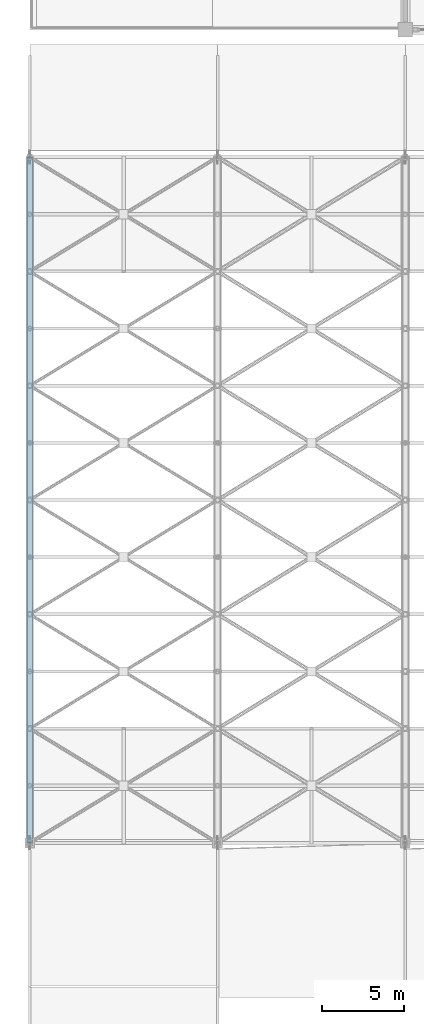
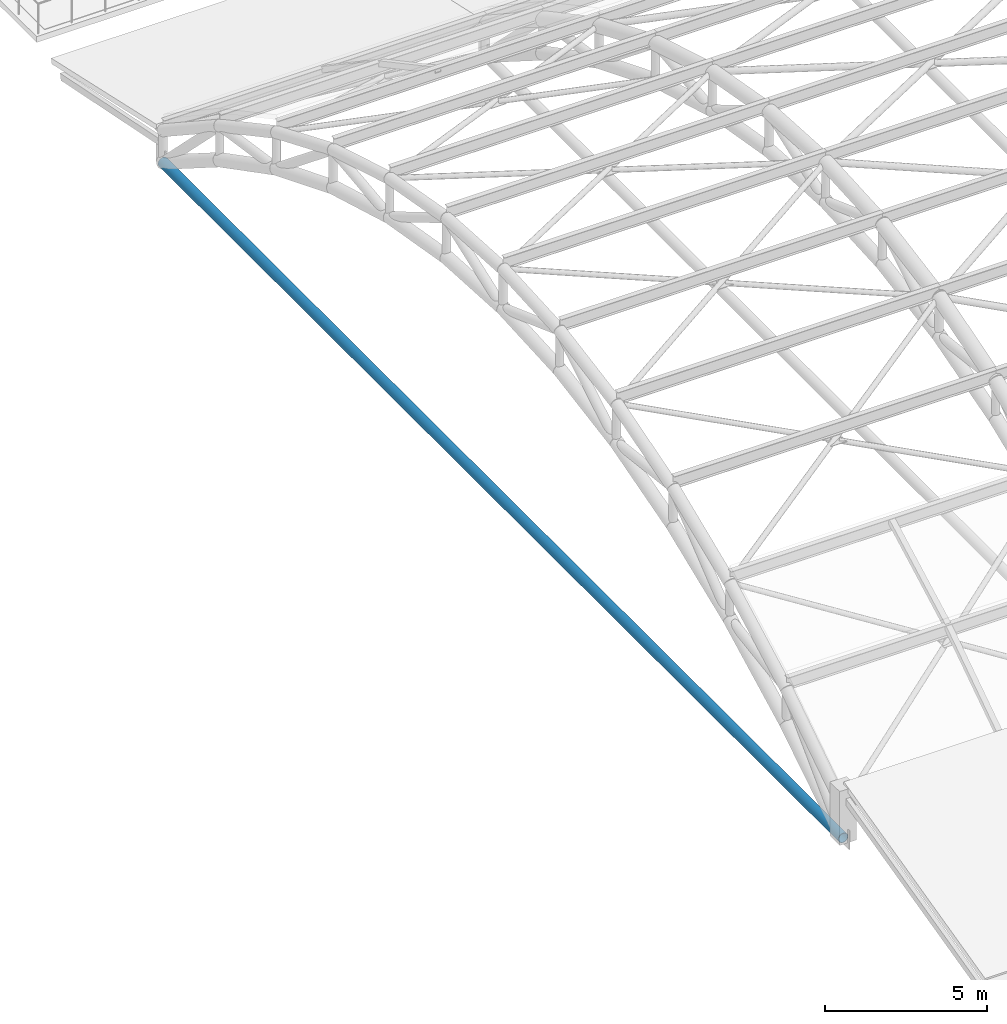
# One storey, part 13 of 154: 1 member.
"""IFC4 building model written with IfcOpenShell, lengths in metres."""

from ifc_helpers import new_model, si_unit, direction, frame, origin, origin_2d, place, context, subcontext, project, spatial, hollow_circle, extrude, material, material_profile, profile_set, type_object, element, save


model = new_model("IFC4")

# Units and contexts
model_context = context("Model", 3, precision=1e-05, world=origin(), true_north=direction((0.0, 1.0)))
body_context = subcontext(model_context, "Body", "Model", "MODEL_VIEW")
ifc_project = project(units=[si_unit("LENGTHUNIT", "METRE"), si_unit("AREAUNIT", "SQUARE_METRE"), si_unit("VOLUMEUNIT", "CUBIC_METRE"), si_unit("PLANEANGLEUNIT", "RADIAN"), si_unit("MASSUNIT", "GRAM", prefix="KILO")], contexts=[model_context])

# Site, building, storey
site_placement = place(None, origin())
site = spatial("IfcSite", under=ifc_project, at=site_placement, CompositionType="ELEMENT")
building_placement = place(site_placement, origin())
building = spatial("IfcBuilding", under=site, at=building_placement, Name="Ologun Quay Terminus", CompositionType="ELEMENT")
storey_placement = place(building_placement, frame((0.0, 0.0, 13.800048828125)))
storey = spatial("IfcBuildingStorey", under=building, at=storey_placement, Name="L03", CompositionType="ELEMENT", Elevation=13.800048828125)

# Member
ifc_material = material(Name="Steel S355", Category="steel")
ifc_material_profile = material_profile(ifc_material, hollow_circle(Radius=0.177734375, WallThickness=0.012451171875, at=origin_2d()), Name="CHS 355.6x12.5")
ifc_profile_set = profile_set([ifc_material_profile], Name="Steel S355")
member_type = type_object("IfcMemberType", Name="Arch Horizontal Tie Chord CHS355", PredefinedType="CHORD", material=ifc_profile_set)
member_placement = place(storey_placement, frame((0.0, 36.0, 0.0), z_axis=(0.0, 1.0, 0.0), x_axis=(-1.0, 0.0, 0.0)))
element("IfcMember", 1, at=member_placement, inside=storey, type_object=member_type, Name="AT1 Arch Tie Chord Grid 1", PredefinedType="CHORD", context=body_context, shape_type="SweptSolid", body=[
    extrude(hollow_circle(Radius=0.177734375, WallThickness=0.012451171875, at=origin_2d()), origin(), (0.0, 0.0, 1.0), 42.0),
])

save(model, "model.ifc")
